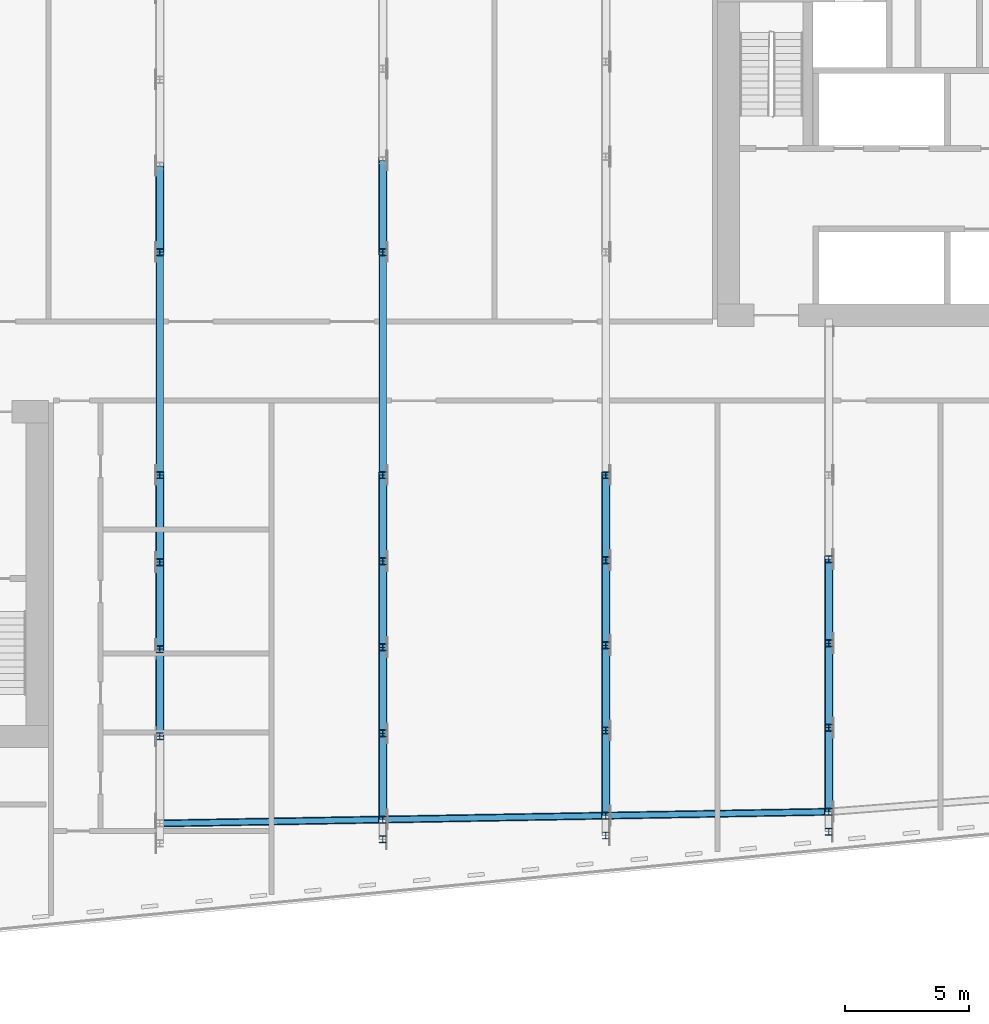
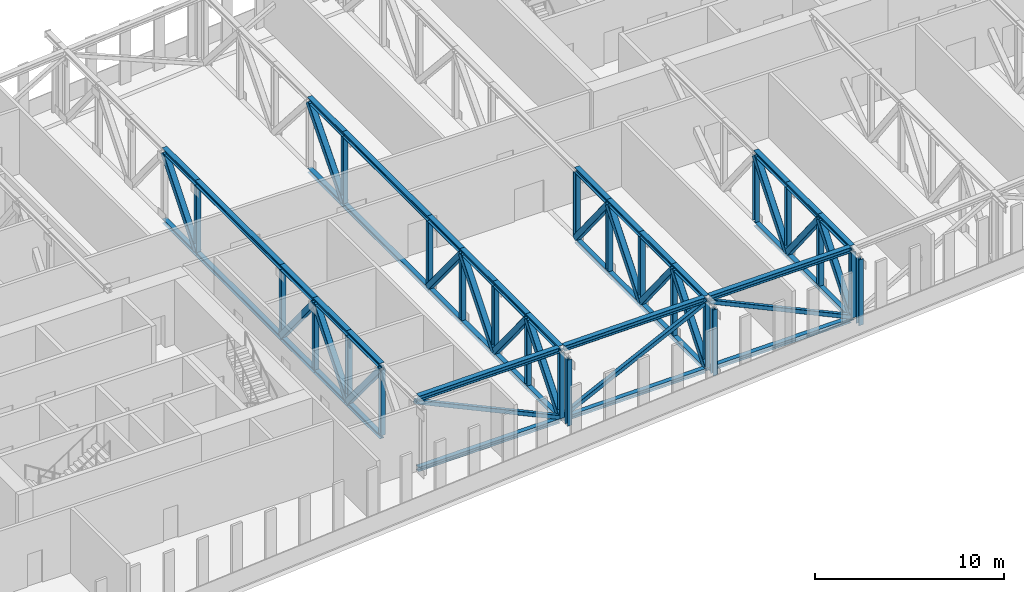
# One storey, part 2 of 26: 84 members.
"""IFC4 building model written with IfcOpenShell, lengths in metres."""

from ifc_helpers import new_model, si_unit, direction, frame, origin, origin_2d, place, context, subcontext, project, spatial, hollow_rectangle, i_section, extrude, material, material_profile, profile_set, type_object, element, save


model = new_model("IFC4")

# Units and contexts
model_context = context("Model", 3, precision=1e-05, world=origin(), true_north=direction((0.0, 1.0)))
body_context = subcontext(model_context, "Body", "Model", "MODEL_VIEW")
ifc_project = project(units=[si_unit("LENGTHUNIT", "METRE"), si_unit("AREAUNIT", "SQUARE_METRE"), si_unit("VOLUMEUNIT", "CUBIC_METRE"), si_unit("PLANEANGLEUNIT", "RADIAN"), si_unit("MASSUNIT", "GRAM", prefix="KILO")], contexts=[model_context])

# Site, building, storey
site_placement = place(None, origin())
site = spatial("IfcSite", under=ifc_project, at=site_placement, CompositionType="ELEMENT")
building_placement = place(site_placement, origin())
building = spatial("IfcBuilding", under=site, at=building_placement, Name="Kajstack Hotel Tower", CompositionType="ELEMENT")
storey_placement = place(building_placement, frame((0.0, 0.0, 206.5)))
storey = spatial("IfcBuildingStorey", under=building, at=storey_placement, Name="L50", CompositionType="ELEMENT", Elevation=206.5)

# Members
ifc_material = material(Name="Steel S355J2", Category="steel")
ifc_material_profile_1 = material_profile(ifc_material, i_section(OverallWidth=0.280029296875, OverallDepth=0.280029296875, WebThickness=0.010498046875, FlangeThickness=0.01806640625, FilletRadius=0.02392578125, at=origin_2d()), Name="HEB 280")
ifc_profile_set_1 = profile_set([ifc_material_profile_1], Name="Steel S355J2")
member_type_1 = type_object("IfcMemberType", Name="Belt truss bottom chord BB4 HEB 280", PredefinedType="CHORD", material=ifc_profile_set_1)
for number, where, z_axis, x_axis, name in (
    (1, (-8.860107421875, -18.56005859375, -0.139892578125), (0.999847431274, 0.017467517697, 0.0), (-0.017467517697, 0.999847431274, 0.0), "S-belt-truss-L50-s04-b"),
    (2, (0.139892578125, -18.403076171875, -0.139892578125), (0.999847431274, 0.017467517697, 0.0), (-0.017467517697, 0.999847431274, 0.0), "S-belt-truss-L50-s05-b"),
    (3, (9.139892578125, -18.245849609375, -0.139892578125), (0.999847431274, 0.017467517697, 0.0), (-0.017467517697, 0.999847431274, 0.0), "S-belt-truss-L50-s06-b"),
):
    element("IfcMember", number, at=place(storey_placement, frame(where, z_axis=z_axis, x_axis=x_axis)), inside=storey, type_object=member_type_1, Name=name, PredefinedType="CHORD", context=body_context, shape_type="SweptSolid", body=[
        extrude(i_section(OverallWidth=0.280029296875, OverallDepth=0.280029296875, WebThickness=0.010498046875, FlangeThickness=0.01806640625, FilletRadius=0.02392578125, at=origin_2d()), origin(), (0.0, 0.0, 1.0), 8.721435546875),
    ])
ifc_material_profile_2 = material_profile(ifc_material, i_section(OverallWidth=0.280029296875, OverallDepth=0.280029296875, WebThickness=0.010498046875, FlangeThickness=0.01806640625, FilletRadius=0.02392578125, at=origin_2d()), Name="HEB 280")
ifc_profile_set_2 = profile_set([ifc_material_profile_2], Name="Steel S355J2")
member_type_2 = type_object("IfcMemberType", Name="Belt truss bottom chord BC4 HEB 280", PredefinedType="CHORD", material=ifc_profile_set_2)
for number, where, z_axis, x_axis, name in (
    (4, (-9.0, -15.046875, -0.139892578125), (0.0, 1.0, 0.0), (-1.0, 0.0, 0.0), "S-belt-truss-L50--9p0-1-bc15"),
    (5, (-9.0, -11.53125, -0.139892578125), (0.0, 1.0, 0.0), (-1.0, 0.0, 0.0), "S-belt-truss-L50--9p0-1-bc16"),
    (6, (-9.0, -8.015625, -0.139892578125), (0.0, 1.0, 0.0), (-1.0, 0.0, 0.0), "S-belt-truss-L50--9p0-1-bc17"),
):
    element("IfcMember", number, at=place(storey_placement, frame(where, z_axis=z_axis, x_axis=x_axis)), inside=storey, type_object=member_type_2, Name=name, PredefinedType="CHORD", context=body_context, shape_type="SweptSolid", body=[
        extrude(i_section(OverallWidth=0.280029296875, OverallDepth=0.280029296875, WebThickness=0.010498046875, FlangeThickness=0.01806640625, FilletRadius=0.02392578125, at=origin_2d()), origin(), (0.0, 0.0, 1.0), 3.515625),
    ])
member_1_placement = place(storey_placement, frame((-9.0, -4.5, -0.139892578125), z_axis=(0.0, 1.0, 0.0), x_axis=(-1.0, 0.0, 0.0)))
element("IfcMember", 7, at=member_1_placement, inside=storey, type_object=member_type_2, Name="S-belt-truss-L50--9p0-1-bc18", PredefinedType="CHORD", context=body_context, shape_type="SweptSolid", body=[
    extrude(i_section(OverallWidth=0.280029296875, OverallDepth=0.280029296875, WebThickness=0.010498046875, FlangeThickness=0.01806640625, FilletRadius=0.02392578125, at=origin_2d()), origin(), (0.0, 0.0, 1.0), 9.0),
])
member_2_placement = place(storey_placement, frame((-9.0, 4.5, -0.139892578125), z_axis=(0.0, 1.0, 0.0), x_axis=(-1.0, 0.0, 0.0)))
element("IfcMember", 8, at=member_2_placement, inside=storey, type_object=member_type_2, Name="S-belt-truss-L50--9p0-1-bc19", PredefinedType="CHORD", context=body_context, shape_type="SweptSolid", body=[
    extrude(i_section(OverallWidth=0.280029296875, OverallDepth=0.280029296875, WebThickness=0.010498046875, FlangeThickness=0.01806640625, FilletRadius=0.02392578125, at=origin_2d()), origin(), (0.0, 0.0, 1.0), 3.480712890625),
])
member_3_placement = place(storey_placement, frame((0.0, -18.405517578125, -0.139892578125), z_axis=(0.0, 1.0, 0.0), x_axis=(-1.0, 0.0, 0.0)))
element("IfcMember", 9, at=member_3_placement, inside=storey, type_object=member_type_2, Name="S-belt-truss-L50-+0p0-1-bc14", PredefinedType="CHORD", context=body_context, shape_type="SweptSolid", body=[
    extrude(i_section(OverallWidth=0.280029296875, OverallDepth=0.280029296875, WebThickness=0.010498046875, FlangeThickness=0.01806640625, FilletRadius=0.02392578125, at=origin_2d()), origin(), (0.0, 0.0, 1.0), 3.476318359375),
])
member_4_placement = place(storey_placement, frame((0.0, -14.92919921875, -0.139892578125), z_axis=(0.0, 1.0, 0.0), x_axis=(-1.0, 0.0, 0.0)))
element("IfcMember", 10, at=member_4_placement, inside=storey, type_object=member_type_2, Name="S-belt-truss-L50-+0p0-1-bc15", PredefinedType="CHORD", context=body_context, shape_type="SweptSolid", body=[
    extrude(i_section(OverallWidth=0.280029296875, OverallDepth=0.280029296875, WebThickness=0.010498046875, FlangeThickness=0.01806640625, FilletRadius=0.02392578125, at=origin_2d()), origin(), (0.0, 0.0, 1.0), 3.4765625),
])
for number, where, z_axis, x_axis, name in (
    (11, (0.0, -11.45263671875, -0.139892578125), (0.0, 1.0, 0.0), (-1.0, 0.0, 0.0), "S-belt-truss-L50-+0p0-1-bc16"),
    (12, (0.0, -7.976318359375, -0.139892578125), (0.0, 1.0, 0.0), (-1.0, 0.0, 0.0), "S-belt-truss-L50-+0p0-1-bc17"),
):
    element("IfcMember", number, at=place(storey_placement, frame(where, z_axis=z_axis, x_axis=x_axis)), inside=storey, type_object=member_type_2, Name=name, PredefinedType="CHORD", context=body_context, shape_type="SweptSolid", body=[
        extrude(i_section(OverallWidth=0.280029296875, OverallDepth=0.280029296875, WebThickness=0.010498046875, FlangeThickness=0.01806640625, FilletRadius=0.02392578125, at=origin_2d()), origin(), (0.0, 0.0, 1.0), 3.476318359375),
    ])
member_5_placement = place(storey_placement, frame((0.0, -4.5, -0.139892578125), z_axis=(0.0, 1.0, 0.0), x_axis=(-1.0, 0.0, 0.0)))
element("IfcMember", 13, at=member_5_placement, inside=storey, type_object=member_type_2, Name="S-belt-truss-L50-+0p0-1-bc18", PredefinedType="CHORD", context=body_context, shape_type="SweptSolid", body=[
    extrude(i_section(OverallWidth=0.280029296875, OverallDepth=0.280029296875, WebThickness=0.010498046875, FlangeThickness=0.01806640625, FilletRadius=0.02392578125, at=origin_2d()), origin(), (0.0, 0.0, 1.0), 9.0),
])
member_6_placement = place(storey_placement, frame((0.0, 4.5, -0.139892578125), z_axis=(0.0, 1.0, 0.0), x_axis=(-1.0, 0.0, 0.0)))
element("IfcMember", 14, at=member_6_placement, inside=storey, type_object=member_type_2, Name="S-belt-truss-L50-+0p0-1-bc19", PredefinedType="CHORD", context=body_context, shape_type="SweptSolid", body=[
    extrude(i_section(OverallWidth=0.280029296875, OverallDepth=0.280029296875, WebThickness=0.010498046875, FlangeThickness=0.01806640625, FilletRadius=0.02392578125, at=origin_2d()), origin(), (0.0, 0.0, 1.0), 3.697509765625),
])
for number, where, z_axis, x_axis, name in (
    (15, (9.0, -18.248291015625, -0.139892578125), (0.0, 1.0, 0.0), (-1.0, 0.0, 0.0), "S-belt-truss-L50-+9p0-1-bc13"),
    (16, (9.0, -14.811279296875, -0.139892578125), (0.0, 1.0, 0.0), (-1.0, 0.0, 0.0), "S-belt-truss-L50-+9p0-1-bc14"),
):
    element("IfcMember", number, at=place(storey_placement, frame(where, z_axis=z_axis, x_axis=x_axis)), inside=storey, type_object=member_type_2, Name=name, PredefinedType="CHORD", context=body_context, shape_type="SweptSolid", body=[
        extrude(i_section(OverallWidth=0.280029296875, OverallDepth=0.280029296875, WebThickness=0.010498046875, FlangeThickness=0.01806640625, FilletRadius=0.02392578125, at=origin_2d()), origin(), (0.0, 0.0, 1.0), 3.43701171875),
    ])
member_7_placement = place(storey_placement, frame((9.0, -11.374267578125, -0.139892578125), z_axis=(0.0, 1.0, 0.0), x_axis=(-1.0, 0.0, 0.0)))
element("IfcMember", 17, at=member_7_placement, inside=storey, type_object=member_type_2, Name="S-belt-truss-L50-+9p0-1-bc15", PredefinedType="CHORD", context=body_context, shape_type="SweptSolid", body=[
    extrude(i_section(OverallWidth=0.280029296875, OverallDepth=0.280029296875, WebThickness=0.010498046875, FlangeThickness=0.01806640625, FilletRadius=0.02392578125, at=origin_2d()), origin(), (0.0, 0.0, 1.0), 3.437255859375),
])
member_8_placement = place(storey_placement, frame((9.0, -7.93701171875, -0.139892578125), z_axis=(0.0, 1.0, 0.0), x_axis=(-1.0, 0.0, 0.0)))
element("IfcMember", 18, at=member_8_placement, inside=storey, type_object=member_type_2, Name="S-belt-truss-L50-+9p0-1-bc16", PredefinedType="CHORD", context=body_context, shape_type="SweptSolid", body=[
    extrude(i_section(OverallWidth=0.280029296875, OverallDepth=0.280029296875, WebThickness=0.010498046875, FlangeThickness=0.01806640625, FilletRadius=0.02392578125, at=origin_2d()), origin(), (0.0, 0.0, 1.0), 3.43701171875),
])
member_9_placement = place(storey_placement, frame((18.0, -18.09130859375, -0.139892578125), z_axis=(0.0, 1.0, 0.0), x_axis=(-1.0, 0.0, 0.0)))
element("IfcMember", 19, at=member_9_placement, inside=storey, type_object=member_type_2, Name="S-outrigger-truss-L50-+18p0-1-bc8", PredefinedType="CHORD", context=body_context, shape_type="SweptSolid", body=[
    extrude(i_section(OverallWidth=0.280029296875, OverallDepth=0.280029296875, WebThickness=0.010498046875, FlangeThickness=0.01806640625, FilletRadius=0.02392578125, at=origin_2d()), origin(), (0.0, 0.0, 1.0), 3.39794921875),
])
member_10_placement = place(storey_placement, frame((18.0, -14.693359375, -0.139892578125), z_axis=(0.0, 1.0, 0.0), x_axis=(-1.0, 0.0, 0.0)))
element("IfcMember", 20, at=member_10_placement, inside=storey, type_object=member_type_2, Name="S-outrigger-truss-L50-+18p0-1-bc9", PredefinedType="CHORD", context=body_context, shape_type="SweptSolid", body=[
    extrude(i_section(OverallWidth=0.280029296875, OverallDepth=0.280029296875, WebThickness=0.010498046875, FlangeThickness=0.01806640625, FilletRadius=0.02392578125, at=origin_2d()), origin(), (0.0, 0.0, 1.0), 3.397705078125),
])
member_11_placement = place(storey_placement, frame((18.0, -11.295654296875, -0.139892578125), z_axis=(0.0, 1.0, 0.0), x_axis=(-1.0, 0.0, 0.0)))
element("IfcMember", 21, at=member_11_placement, inside=storey, type_object=member_type_2, Name="S-outrigger-truss-L50-+18p0-1-bc10", PredefinedType="CHORD", context=body_context, shape_type="SweptSolid", body=[
    extrude(i_section(OverallWidth=0.280029296875, OverallDepth=0.280029296875, WebThickness=0.010498046875, FlangeThickness=0.01806640625, FilletRadius=0.02392578125, at=origin_2d()), origin(), (0.0, 0.0, 1.0), 3.39794921875),
])
ifc_material_profile_3 = material_profile(ifc_material, hollow_rectangle(XDim=0.25, YDim=0.25, WallThickness=0.012451171875, InnerFilletRadius=0.012451171875, OuterFilletRadius=0.018798828125, at=origin_2d()), Name="SHS 250x250x12.5")
ifc_profile_set_3 = profile_set([ifc_material_profile_3], Name="Steel S355J2")
member_type_3 = type_object("IfcMemberType", Name="Belt truss diagonal BD4 SHS 250x250x12.5", PredefinedType="BRACE", material=ifc_profile_set_3)
for number, where, z_axis, x_axis, name in (
    (22, (0.0, -18.405517578125, 0.0), (-0.903747810757, -0.015763613344, 0.427774944388), (0.017439838569, -0.99984791445, 0.0), "S-belt-truss-L50-s04-d"),
    (23, (0.0, -18.405517578125, 0.0), (0.903747461227, 0.015788122966, 0.427774778943), (-0.017466952911, 0.999847441141, 0.0), "S-belt-truss-L50-s05-d"),
    (24, (18.0, -18.09130859375, 0.0), (-0.903747810757, -0.015763613344, 0.427774944388), (0.017439838569, -0.99984791445, 0.0), "S-belt-truss-L50-s06-d"),
):
    element("IfcMember", number, at=place(storey_placement, frame(where, z_axis=z_axis, x_axis=x_axis)), inside=storey, type_object=member_type_3, Name=name, PredefinedType="BRACE", context=body_context, shape_type="SweptSolid", body=[
        extrude(hollow_rectangle(XDim=0.25, YDim=0.25, WallThickness=0.012451171875, InnerFilletRadius=0.012451171875, OuterFilletRadius=0.018798828125, at=origin_2d()), origin(), (0.0, 0.0, 1.0), 9.95849609375),
    ])
ifc_material_profile_4 = material_profile(ifc_material, hollow_rectangle(XDim=0.35009765625, YDim=0.35009765625, WallThickness=0.01611328125, InnerFilletRadius=0.01611328125, OuterFilletRadius=0.02392578125, at=origin_2d()), Name="SHS 350x350x16")
ifc_profile_set_4 = profile_set([ifc_material_profile_4], Name="Steel S355J2")
member_type_4 = type_object("IfcMemberType", Name="Belt truss diagonal DG4 SHS 350x350x16", PredefinedType="BRACE", material=ifc_profile_set_4)
for number, where, z_axis, x_axis, name in (
    (25, (-9.0, -11.53125, 0.0), (0.0, -0.636503272762, 0.771274000446), (1.0, 0.0, 0.0), "S-belt-truss-L50--9p0-1-dg37"),
    (26, (-9.0, -11.53125, 0.0), (0.0, 0.636503272762, 0.771274000446), (-1.0, 0.0, 0.0), "S-belt-truss-L50--9p0-1-dg38"),
    (27, (-9.0, -4.5, 0.0), (0.0, -0.636503272762, 0.771274000446), (1.0, 0.0, 0.0), "S-belt-truss-L50--9p0-1-dg39"),
):
    element("IfcMember", number, at=place(storey_placement, frame(where, z_axis=z_axis, x_axis=x_axis)), inside=storey, type_object=member_type_4, Name=name, PredefinedType="BRACE", context=body_context, shape_type="SweptSolid", body=[
        extrude(hollow_rectangle(XDim=0.35009765625, YDim=0.35009765625, WallThickness=0.01611328125, InnerFilletRadius=0.01611328125, OuterFilletRadius=0.02392578125, at=origin_2d()), origin(), (0.0, 0.0, 1.0), 5.5234375),
    ])
member_12_placement = place(storey_placement, frame((-9.0, 4.5, 0.0), z_axis=(0.0, 0.632720472328, 0.77438027086), x_axis=(-1.0, 0.0, 0.0)))
element("IfcMember", 28, at=member_12_placement, inside=storey, type_object=member_type_4, Name="S-belt-truss-L50--9p0-1-dg40", PredefinedType="BRACE", context=body_context, shape_type="SweptSolid", body=[
    extrude(hollow_rectangle(XDim=0.35009765625, YDim=0.35009765625, WallThickness=0.01611328125, InnerFilletRadius=0.01611328125, OuterFilletRadius=0.02392578125, at=origin_2d()), origin(), (0.0, 0.0, 1.0), 5.501220703125),
])
member_13_placement = place(storey_placement, frame((0.0, -18.405517578125, 0.0), z_axis=(0.0, 0.632241076689, 0.77477172183), x_axis=(-1.0, 0.0, 0.0)))
element("IfcMember", 29, at=member_13_placement, inside=storey, type_object=member_type_4, Name="S-belt-truss-L50-+0p0-1-dg36", PredefinedType="BRACE", context=body_context, shape_type="SweptSolid", body=[
    extrude(hollow_rectangle(XDim=0.35009765625, YDim=0.35009765625, WallThickness=0.01611328125, InnerFilletRadius=0.01611328125, OuterFilletRadius=0.02392578125, at=origin_2d()), origin(), (0.0, 0.0, 1.0), 5.498291015625),
])
member_14_placement = place(storey_placement, frame((0.0, -11.45263671875, 0.0), z_axis=(0.0, -0.632267728851, 0.774749971961), x_axis=(1.0, 0.0, 0.0)))
element("IfcMember", 30, at=member_14_placement, inside=storey, type_object=member_type_4, Name="S-belt-truss-L50-+0p0-1-dg37", PredefinedType="BRACE", context=body_context, shape_type="SweptSolid", body=[
    extrude(hollow_rectangle(XDim=0.35009765625, YDim=0.35009765625, WallThickness=0.01611328125, InnerFilletRadius=0.01611328125, OuterFilletRadius=0.02392578125, at=origin_2d()), origin(), (0.0, 0.0, 1.0), 5.49853515625),
])
for number, where, z_axis, x_axis, name in (
    (31, (0.0, -11.45263671875, 0.0), (0.0, 0.632241076689, 0.77477172183), (-1.0, 0.0, 0.0), "S-belt-truss-L50-+0p0-1-dg38"),
    (32, (0.0, -4.5, 0.0), (0.0, -0.632241076689, 0.77477172183), (1.0, 0.0, 0.0), "S-belt-truss-L50-+0p0-1-dg39"),
):
    element("IfcMember", number, at=place(storey_placement, frame(where, z_axis=z_axis, x_axis=x_axis)), inside=storey, type_object=member_type_4, Name=name, PredefinedType="BRACE", context=body_context, shape_type="SweptSolid", body=[
        extrude(hollow_rectangle(XDim=0.35009765625, YDim=0.35009765625, WallThickness=0.01611328125, InnerFilletRadius=0.01611328125, OuterFilletRadius=0.02392578125, at=origin_2d()), origin(), (0.0, 0.0, 1.0), 5.498291015625),
    ])
member_15_placement = place(storey_placement, frame((0.0, 4.5, 0.0), z_axis=(0.0, 0.65548729841, 0.755206198083), x_axis=(-1.0, 0.0, 0.0)))
element("IfcMember", 33, at=member_15_placement, inside=storey, type_object=member_type_4, Name="S-belt-truss-L50-+0p0-1-dg40", PredefinedType="BRACE", context=body_context, shape_type="SweptSolid", body=[
    extrude(hollow_rectangle(XDim=0.35009765625, YDim=0.35009765625, WallThickness=0.01611328125, InnerFilletRadius=0.01611328125, OuterFilletRadius=0.02392578125, at=origin_2d()), origin(), (0.0, 0.0, 1.0), 5.640869140625),
])
for number, where, z_axis, x_axis, name in (
    (34, (9.0, -18.248291015625, 0.0), (0.0, 0.627920696048, 0.778277328125), (-1.0, 0.0, 0.0), "S-belt-truss-L50-+9p0-1-dg35"),
    (35, (9.0, -11.374267578125, 0.0), (0.0, -0.627920696048, 0.778277328125), (1.0, 0.0, 0.0), "S-belt-truss-L50-+9p0-1-dg36"),
):
    element("IfcMember", number, at=place(storey_placement, frame(where, z_axis=z_axis, x_axis=x_axis)), inside=storey, type_object=member_type_4, Name=name, PredefinedType="BRACE", context=body_context, shape_type="SweptSolid", body=[
        extrude(hollow_rectangle(XDim=0.35009765625, YDim=0.35009765625, WallThickness=0.01611328125, InnerFilletRadius=0.01611328125, OuterFilletRadius=0.02392578125, at=origin_2d()), origin(), (0.0, 0.0, 1.0), 5.4736328125),
    ])
member_16_placement = place(storey_placement, frame((9.0, -11.374267578125, 0.0), z_axis=(0.0, 0.627947711632, 0.778255530951), x_axis=(-1.0, 0.0, 0.0)))
element("IfcMember", 36, at=member_16_placement, inside=storey, type_object=member_type_4, Name="S-belt-truss-L50-+9p0-1-dg37", PredefinedType="BRACE", context=body_context, shape_type="SweptSolid", body=[
    extrude(hollow_rectangle(XDim=0.35009765625, YDim=0.35009765625, WallThickness=0.01611328125, InnerFilletRadius=0.01611328125, OuterFilletRadius=0.02392578125, at=origin_2d()), origin(), (0.0, 0.0, 1.0), 5.473876953125),
])
member_17_placement = place(storey_placement, frame((9.0, -4.5, 0.0), z_axis=(0.0, -0.627920696048, 0.778277328125), x_axis=(1.0, 0.0, 0.0)))
element("IfcMember", 37, at=member_17_placement, inside=storey, type_object=member_type_4, Name="S-belt-truss-L50-+9p0-1-dg38", PredefinedType="BRACE", context=body_context, shape_type="SweptSolid", body=[
    extrude(hollow_rectangle(XDim=0.35009765625, YDim=0.35009765625, WallThickness=0.01611328125, InnerFilletRadius=0.01611328125, OuterFilletRadius=0.02392578125, at=origin_2d()), origin(), (0.0, 0.0, 1.0), 5.4736328125),
])
member_18_placement = place(storey_placement, frame((18.0, -18.09130859375, 0.0), z_axis=(0.0, 0.623568858563, 0.781768430311), x_axis=(-1.0, 0.0, 0.0)))
element("IfcMember", 38, at=member_18_placement, inside=storey, type_object=member_type_4, Name="S-outrigger-truss-L50-+18p0-1-dg19", PredefinedType="BRACE", context=body_context, shape_type="SweptSolid", body=[
    extrude(hollow_rectangle(XDim=0.35009765625, YDim=0.35009765625, WallThickness=0.01611328125, InnerFilletRadius=0.01611328125, OuterFilletRadius=0.02392578125, at=origin_2d()), origin(), (0.0, 0.0, 1.0), 5.44921875),
])
member_19_placement = place(storey_placement, frame((18.0, -11.295654296875, 0.0), z_axis=(0.0, -0.623541475499, 0.781790271321), x_axis=(1.0, 0.0, 0.0)))
element("IfcMember", 39, at=member_19_placement, inside=storey, type_object=member_type_4, Name="S-outrigger-truss-L50-+18p0-1-dg20", PredefinedType="BRACE", context=body_context, shape_type="SweptSolid", body=[
    extrude(hollow_rectangle(XDim=0.35009765625, YDim=0.35009765625, WallThickness=0.01611328125, InnerFilletRadius=0.01611328125, OuterFilletRadius=0.02392578125, at=origin_2d()), origin(), (0.0, 0.0, 1.0), 5.448974609375),
])
member_20_placement = place(storey_placement, frame((18.0, -11.295654296875, 0.0), z_axis=(0.0, 0.623568858563, 0.781768430311), x_axis=(-1.0, 0.0, 0.0)))
element("IfcMember", 40, at=member_20_placement, inside=storey, type_object=member_type_4, Name="S-outrigger-truss-L50-+18p0-1-dg21", PredefinedType="BRACE", context=body_context, shape_type="SweptSolid", body=[
    extrude(hollow_rectangle(XDim=0.35009765625, YDim=0.35009765625, WallThickness=0.01611328125, InnerFilletRadius=0.01611328125, OuterFilletRadius=0.02392578125, at=origin_2d()), origin(), (0.0, 0.0, 1.0), 5.44921875),
])
ifc_material_profile_5 = material_profile(ifc_material, i_section(OverallWidth=0.280029296875, OverallDepth=0.280029296875, WebThickness=0.010498046875, FlangeThickness=0.01806640625, FilletRadius=0.02392578125, at=origin_2d()), Name="HEB 280")
ifc_profile_set_5 = profile_set([ifc_material_profile_5], Name="Steel S355J2")
member_type_5 = type_object("IfcMemberType", Name="Belt truss post PO4 HEB 280", PredefinedType="POST", material=ifc_profile_set_5)
for number, where, z_axis, x_axis, name in (
    (41, (-9.0, -15.046875, 0.0), (0.0, 0.0, 1.0), (1.0, 0.0, 0.0), "S-belt-truss-L50--9p0-1-po26"),
    (42, (-9.0, -11.53125, 0.0), (0.0, 0.0, 1.0), (1.0, 0.0, 0.0), "S-belt-truss-L50--9p0-1-po27"),
    (43, (-9.0, -8.015625, 0.0), (0.0, 0.0, 1.0), (1.0, 0.0, 0.0), "S-belt-truss-L50--9p0-1-po28"),
    (44, (-9.0, -4.5, 0.0), (0.0, 0.0, 1.0), (1.0, 0.0, 0.0), "S-belt-truss-L50--9p0-1-po29"),
    (45, (-9.0, 4.5, 0.0), (0.0, 0.0, 1.0), (1.0, 0.0, 0.0), "S-belt-truss-L50--9p0-1-po30"),
    (46, (0.0, -19.205322265625, 0.0), (0.0, 0.0, 1.0), (1.0, 0.0, 0.0), "S-belt-truss-L50-+0p0-1-po24"),
    (47, (0.0, -18.405517578125, 0.0), (0.0, 0.0, 1.0), (1.0, 0.0, 0.0), "S-belt-truss-L50-+0p0-1-po25"),
    (48, (0.0, -14.92919921875, 0.0), (0.0, 0.0, 1.0), (1.0, 0.0, 0.0), "S-belt-truss-L50-+0p0-1-po26"),
    (49, (0.0, -11.45263671875, 0.0), (0.0, 0.0, 1.0), (1.0, 0.0, 0.0), "S-belt-truss-L50-+0p0-1-po27"),
    (50, (0.0, -7.976318359375, 0.0), (0.0, 0.0, 1.0), (1.0, 0.0, 0.0), "S-belt-truss-L50-+0p0-1-po28"),
    (51, (0.0, -4.5, 0.0), (0.0, 0.0, 1.0), (1.0, 0.0, 0.0), "S-belt-truss-L50-+0p0-1-po29"),
    (52, (0.0, 4.5, 0.0), (0.0, 0.0, 1.0), (1.0, 0.0, 0.0), "S-belt-truss-L50-+0p0-1-po30"),
    (53, (9.0, -19.04833984375, 0.0), (0.0, 0.0, 1.0), (1.0, 0.0, 0.0), "S-belt-truss-L50-+9p0-1-po23"),
    (54, (9.0, -18.248291015625, 0.0), (0.0, 0.0, 1.0), (1.0, 0.0, 0.0), "S-belt-truss-L50-+9p0-1-po24"),
    (55, (9.0, -14.811279296875, 0.0), (0.0, 0.0, 1.0), (1.0, 0.0, 0.0), "S-belt-truss-L50-+9p0-1-po25"),
    (56, (9.0, -11.374267578125, 0.0), (0.0, 0.0, 1.0), (1.0, 0.0, 0.0), "S-belt-truss-L50-+9p0-1-po26"),
    (57, (9.0, -7.93701171875, 0.0), (0.0, 0.0, 1.0), (1.0, 0.0, 0.0), "S-belt-truss-L50-+9p0-1-po27"),
    (58, (9.0, -4.5, 0.0), (0.0, 0.0, 1.0), (1.0, 0.0, 0.0), "S-belt-truss-L50-+9p0-1-po28"),
    (59, (18.0, -18.89111328125, 0.0), (0.0, 0.0, 1.0), (1.0, 0.0, 0.0), "S-outrigger-truss-L50-+18p0-1-po13"),
    (60, (18.0, -18.09130859375, 0.0), (0.0, 0.0, 1.0), (1.0, 0.0, 0.0), "S-outrigger-truss-L50-+18p0-1-po14"),
    (61, (18.0, -14.693359375, 0.0), (0.0, 0.0, 1.0), (1.0, 0.0, 0.0), "S-outrigger-truss-L50-+18p0-1-po15"),
    (62, (18.0, -11.295654296875, 0.0), (0.0, 0.0, 1.0), (1.0, 0.0, 0.0), "S-outrigger-truss-L50-+18p0-1-po16"),
    (63, (18.0, -7.897705078125, 0.0), (0.0, 0.0, 1.0), (1.0, 0.0, 0.0), "S-outrigger-truss-L50-+18p0-1-po17"),
):
    element("IfcMember", number, at=place(storey_placement, frame(where, z_axis=z_axis, x_axis=x_axis)), inside=storey, type_object=member_type_5, Name=name, PredefinedType="POST", context=body_context, shape_type="SweptSolid", body=[
        extrude(i_section(OverallWidth=0.280029296875, OverallDepth=0.280029296875, WebThickness=0.010498046875, FlangeThickness=0.01806640625, FilletRadius=0.02392578125, at=origin_2d()), origin(), (0.0, 0.0, 1.0), 4.260009765625),
    ])
ifc_material_profile_6 = material_profile(ifc_material, i_section(OverallWidth=0.300048828125, OverallDepth=0.340087890625, WebThickness=0.011962890625, FlangeThickness=0.021484375, FilletRadius=0.027099609375, at=origin_2d()), Name="HEB 340")
ifc_profile_set_6 = profile_set([ifc_material_profile_6], Name="Steel S355J2")
member_type_6 = type_object("IfcMemberType", Name="Belt truss top chord BT4 HEB 340", PredefinedType="CHORD", material=ifc_profile_set_6)
for number, where, z_axis, x_axis, name in (
    (64, (-8.85009765625, -18.559814453125, 4.429931640625), (0.999847709204, 0.017451601614, 0.0), (-0.017451601614, 0.999847709204, 0.0), "S-belt-truss-L50-s04-t"),
    (65, (0.14990234375, -18.40283203125, 4.429931640625), (0.999847709204, 0.017451601614, 0.0), (-0.017451601614, 0.999847709204, 0.0), "S-belt-truss-L50-s05-t"),
    (66, (9.14990234375, -18.24560546875, 4.429931640625), (0.999847709204, 0.017451601614, 0.0), (-0.017451601614, 0.999847709204, 0.0), "S-belt-truss-L50-s06-t"),
):
    element("IfcMember", number, at=place(storey_placement, frame(where, z_axis=z_axis, x_axis=x_axis)), inside=storey, type_object=member_type_6, Name=name, PredefinedType="CHORD", context=body_context, shape_type="SweptSolid", body=[
        extrude(i_section(OverallWidth=0.300048828125, OverallDepth=0.340087890625, WebThickness=0.011962890625, FlangeThickness=0.021484375, FilletRadius=0.027099609375, at=origin_2d()), origin(), (0.0, 0.0, 1.0), 8.701416015625),
    ])
ifc_material_profile_7 = material_profile(ifc_material, i_section(OverallWidth=0.300048828125, OverallDepth=0.340087890625, WebThickness=0.011962890625, FlangeThickness=0.021484375, FilletRadius=0.027099609375, at=origin_2d()), Name="HEB 340")
ifc_profile_set_7 = profile_set([ifc_material_profile_7], Name="Steel S355J2")
member_type_7 = type_object("IfcMemberType", Name="Belt truss top chord TC4 HEB 340", PredefinedType="CHORD", material=ifc_profile_set_7)
for number, where, z_axis, x_axis, name in (
    (67, (-9.0, -15.046875, 4.429931640625), (0.0, 1.0, 0.0), (-1.0, 0.0, 0.0), "S-belt-truss-L50--9p0-1-tc3"),
    (68, (-9.0, -11.53125, 4.429931640625), (0.0, 1.0, 0.0), (-1.0, 0.0, 0.0), "S-belt-truss-L50--9p0-1-tc4"),
    (69, (-9.0, -8.015625, 4.429931640625), (0.0, 1.0, 0.0), (-1.0, 0.0, 0.0), "S-belt-truss-L50--9p0-1-tc5"),
):
    element("IfcMember", number, at=place(storey_placement, frame(where, z_axis=z_axis, x_axis=x_axis)), inside=storey, type_object=member_type_7, Name=name, PredefinedType="CHORD", context=body_context, shape_type="SweptSolid", body=[
        extrude(i_section(OverallWidth=0.300048828125, OverallDepth=0.340087890625, WebThickness=0.011962890625, FlangeThickness=0.021484375, FilletRadius=0.027099609375, at=origin_2d()), origin(), (0.0, 0.0, 1.0), 3.515625),
    ])
member_21_placement = place(storey_placement, frame((-9.0, -4.5, 4.429931640625), z_axis=(0.0, 1.0, 0.0), x_axis=(-1.0, 0.0, 0.0)))
element("IfcMember", 70, at=member_21_placement, inside=storey, type_object=member_type_7, Name="S-belt-truss-L50--9p0-1-tc6", PredefinedType="CHORD", context=body_context, shape_type="SweptSolid", body=[
    extrude(i_section(OverallWidth=0.300048828125, OverallDepth=0.340087890625, WebThickness=0.011962890625, FlangeThickness=0.021484375, FilletRadius=0.027099609375, at=origin_2d()), origin(), (0.0, 0.0, 1.0), 9.0),
])
member_22_placement = place(storey_placement, frame((-9.0, 4.5, 4.429931640625), z_axis=(0.0, 1.0, 0.0), x_axis=(-1.0, 0.0, 0.0)))
element("IfcMember", 71, at=member_22_placement, inside=storey, type_object=member_type_7, Name="S-belt-truss-L50--9p0-1-tc7", PredefinedType="CHORD", context=body_context, shape_type="SweptSolid", body=[
    extrude(i_section(OverallWidth=0.300048828125, OverallDepth=0.340087890625, WebThickness=0.011962890625, FlangeThickness=0.021484375, FilletRadius=0.027099609375, at=origin_2d()), origin(), (0.0, 0.0, 1.0), 3.480712890625),
])
member_23_placement = place(storey_placement, frame((0.0, -18.405517578125, 4.429931640625), z_axis=(0.0, 1.0, 0.0), x_axis=(-1.0, 0.0, 0.0)))
element("IfcMember", 72, at=member_23_placement, inside=storey, type_object=member_type_7, Name="S-belt-truss-L50-+0p0-1-tc2", PredefinedType="CHORD", context=body_context, shape_type="SweptSolid", body=[
    extrude(i_section(OverallWidth=0.300048828125, OverallDepth=0.340087890625, WebThickness=0.011962890625, FlangeThickness=0.021484375, FilletRadius=0.027099609375, at=origin_2d()), origin(), (0.0, 0.0, 1.0), 3.476318359375),
])
member_24_placement = place(storey_placement, frame((0.0, -14.92919921875, 4.429931640625), z_axis=(0.0, 1.0, 0.0), x_axis=(-1.0, 0.0, 0.0)))
element("IfcMember", 73, at=member_24_placement, inside=storey, type_object=member_type_7, Name="S-belt-truss-L50-+0p0-1-tc3", PredefinedType="CHORD", context=body_context, shape_type="SweptSolid", body=[
    extrude(i_section(OverallWidth=0.300048828125, OverallDepth=0.340087890625, WebThickness=0.011962890625, FlangeThickness=0.021484375, FilletRadius=0.027099609375, at=origin_2d()), origin(), (0.0, 0.0, 1.0), 3.4765625),
])
for number, where, z_axis, x_axis, name in (
    (74, (0.0, -11.45263671875, 4.429931640625), (0.0, 1.0, 0.0), (-1.0, 0.0, 0.0), "S-belt-truss-L50-+0p0-1-tc4"),
    (75, (0.0, -7.976318359375, 4.429931640625), (0.0, 1.0, 0.0), (-1.0, 0.0, 0.0), "S-belt-truss-L50-+0p0-1-tc5"),
):
    element("IfcMember", number, at=place(storey_placement, frame(where, z_axis=z_axis, x_axis=x_axis)), inside=storey, type_object=member_type_7, Name=name, PredefinedType="CHORD", context=body_context, shape_type="SweptSolid", body=[
        extrude(i_section(OverallWidth=0.300048828125, OverallDepth=0.340087890625, WebThickness=0.011962890625, FlangeThickness=0.021484375, FilletRadius=0.027099609375, at=origin_2d()), origin(), (0.0, 0.0, 1.0), 3.476318359375),
    ])
member_25_placement = place(storey_placement, frame((0.0, -4.5, 4.429931640625), z_axis=(0.0, 1.0, 0.0), x_axis=(-1.0, 0.0, 0.0)))
element("IfcMember", 76, at=member_25_placement, inside=storey, type_object=member_type_7, Name="S-belt-truss-L50-+0p0-1-tc6", PredefinedType="CHORD", context=body_context, shape_type="SweptSolid", body=[
    extrude(i_section(OverallWidth=0.300048828125, OverallDepth=0.340087890625, WebThickness=0.011962890625, FlangeThickness=0.021484375, FilletRadius=0.027099609375, at=origin_2d()), origin(), (0.0, 0.0, 1.0), 9.0),
])
member_26_placement = place(storey_placement, frame((0.0, 4.5, 4.429931640625), z_axis=(0.0, 1.0, 0.0), x_axis=(-1.0, 0.0, 0.0)))
element("IfcMember", 77, at=member_26_placement, inside=storey, type_object=member_type_7, Name="S-belt-truss-L50-+0p0-1-tc7", PredefinedType="CHORD", context=body_context, shape_type="SweptSolid", body=[
    extrude(i_section(OverallWidth=0.300048828125, OverallDepth=0.340087890625, WebThickness=0.011962890625, FlangeThickness=0.021484375, FilletRadius=0.027099609375, at=origin_2d()), origin(), (0.0, 0.0, 1.0), 3.697509765625),
])
for number, where, z_axis, x_axis, name in (
    (78, (9.0, -18.248291015625, 4.429931640625), (0.0, 1.0, 0.0), (-1.0, 0.0, 0.0), "S-belt-truss-L50-+9p0-1-tc2"),
    (79, (9.0, -14.811279296875, 4.429931640625), (0.0, 1.0, 0.0), (-1.0, 0.0, 0.0), "S-belt-truss-L50-+9p0-1-tc3"),
):
    element("IfcMember", number, at=place(storey_placement, frame(where, z_axis=z_axis, x_axis=x_axis)), inside=storey, type_object=member_type_7, Name=name, PredefinedType="CHORD", context=body_context, shape_type="SweptSolid", body=[
        extrude(i_section(OverallWidth=0.300048828125, OverallDepth=0.340087890625, WebThickness=0.011962890625, FlangeThickness=0.021484375, FilletRadius=0.027099609375, at=origin_2d()), origin(), (0.0, 0.0, 1.0), 3.43701171875),
    ])
member_27_placement = place(storey_placement, frame((9.0, -11.374267578125, 4.429931640625), z_axis=(0.0, 1.0, 0.0), x_axis=(-1.0, 0.0, 0.0)))
element("IfcMember", 80, at=member_27_placement, inside=storey, type_object=member_type_7, Name="S-belt-truss-L50-+9p0-1-tc4", PredefinedType="CHORD", context=body_context, shape_type="SweptSolid", body=[
    extrude(i_section(OverallWidth=0.300048828125, OverallDepth=0.340087890625, WebThickness=0.011962890625, FlangeThickness=0.021484375, FilletRadius=0.027099609375, at=origin_2d()), origin(), (0.0, 0.0, 1.0), 3.437255859375),
])
member_28_placement = place(storey_placement, frame((9.0, -7.93701171875, 4.429931640625), z_axis=(0.0, 1.0, 0.0), x_axis=(-1.0, 0.0, 0.0)))
element("IfcMember", 81, at=member_28_placement, inside=storey, type_object=member_type_7, Name="S-belt-truss-L50-+9p0-1-tc5", PredefinedType="CHORD", context=body_context, shape_type="SweptSolid", body=[
    extrude(i_section(OverallWidth=0.300048828125, OverallDepth=0.340087890625, WebThickness=0.011962890625, FlangeThickness=0.021484375, FilletRadius=0.027099609375, at=origin_2d()), origin(), (0.0, 0.0, 1.0), 3.43701171875),
])
member_29_placement = place(storey_placement, frame((18.0, -18.09130859375, 4.429931640625), z_axis=(0.0, 1.0, 0.0), x_axis=(-1.0, 0.0, 0.0)))
element("IfcMember", 82, at=member_29_placement, inside=storey, type_object=member_type_7, Name="S-outrigger-truss-L50-+18p0-1-tc2", PredefinedType="CHORD", context=body_context, shape_type="SweptSolid", body=[
    extrude(i_section(OverallWidth=0.300048828125, OverallDepth=0.340087890625, WebThickness=0.011962890625, FlangeThickness=0.021484375, FilletRadius=0.027099609375, at=origin_2d()), origin(), (0.0, 0.0, 1.0), 3.39794921875),
])
member_30_placement = place(storey_placement, frame((18.0, -14.693359375, 4.429931640625), z_axis=(0.0, 1.0, 0.0), x_axis=(-1.0, 0.0, 0.0)))
element("IfcMember", 83, at=member_30_placement, inside=storey, type_object=member_type_7, Name="S-outrigger-truss-L50-+18p0-1-tc3", PredefinedType="CHORD", context=body_context, shape_type="SweptSolid", body=[
    extrude(i_section(OverallWidth=0.300048828125, OverallDepth=0.340087890625, WebThickness=0.011962890625, FlangeThickness=0.021484375, FilletRadius=0.027099609375, at=origin_2d()), origin(), (0.0, 0.0, 1.0), 3.397705078125),
])
member_31_placement = place(storey_placement, frame((18.0, -11.295654296875, 4.429931640625), z_axis=(0.0, 1.0, 0.0), x_axis=(-1.0, 0.0, 0.0)))
element("IfcMember", 84, at=member_31_placement, inside=storey, type_object=member_type_7, Name="S-outrigger-truss-L50-+18p0-1-tc4", PredefinedType="CHORD", context=body_context, shape_type="SweptSolid", body=[
    extrude(i_section(OverallWidth=0.300048828125, OverallDepth=0.340087890625, WebThickness=0.011962890625, FlangeThickness=0.021484375, FilletRadius=0.027099609375, at=origin_2d()), origin(), (0.0, 0.0, 1.0), 3.39794921875),
])

save(model, "model.ifc")
